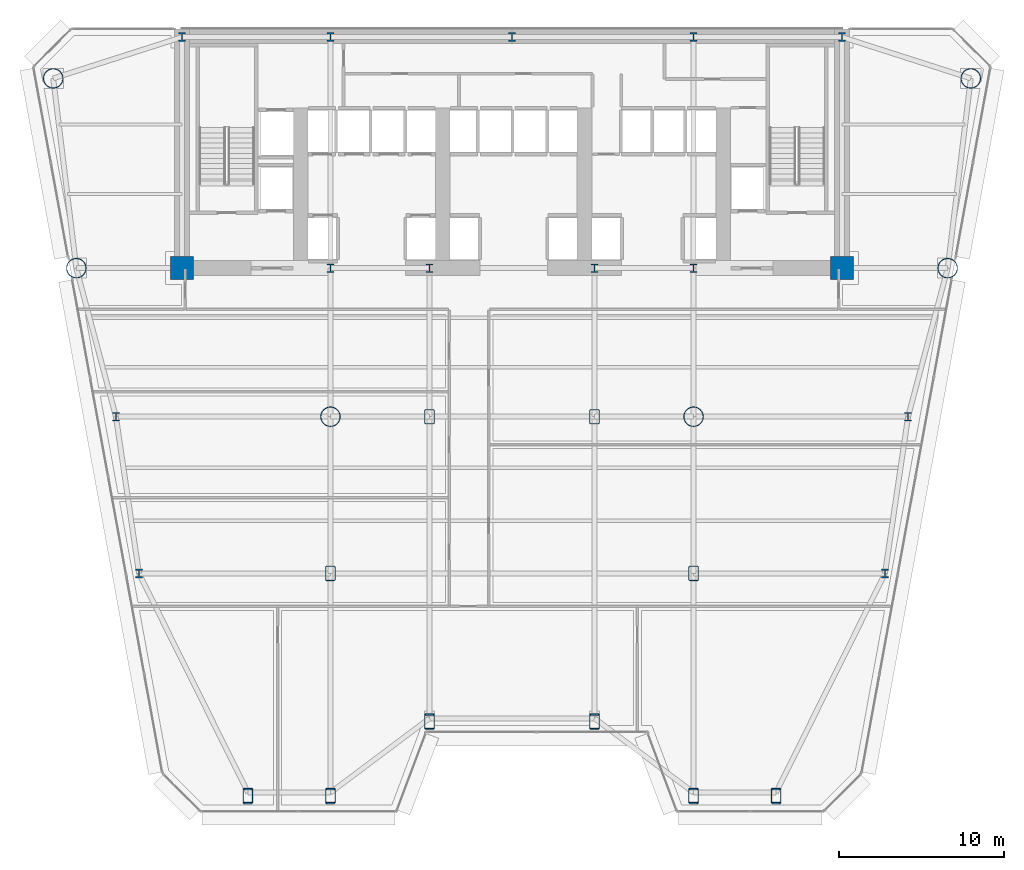
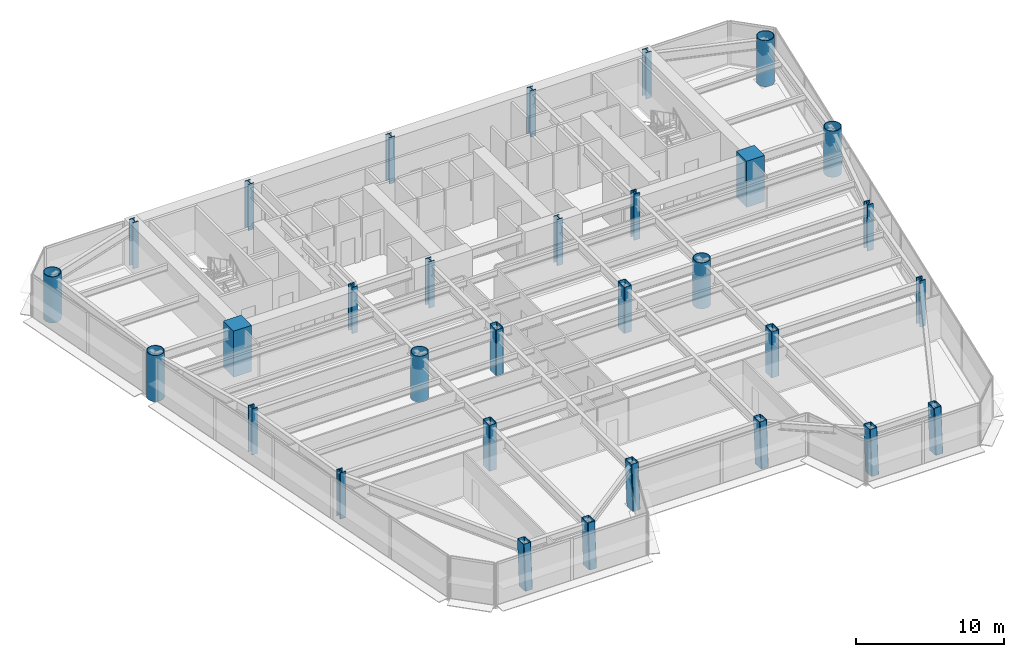
# One storey, part 1 of 14: 31 columns.
"""IFC4 building model written with IfcOpenShell, lengths in metres."""

from ifc_helpers import new_model, si_unit, direction, frame, origin, origin_2d, place, context, subcontext, project, spatial, rectangle, hollow_rectangle, hollow_circle, i_section, extrude, source, transform, mapped, material, material_profile, profile_set, type_object, element, save


model = new_model("IFC4")

# Units and contexts
model_context = context("Model", 3, precision=1e-05, world=origin(), true_north=direction((0.0, 1.0)))
body_context = subcontext(model_context, "Body", "Model", "MODEL_VIEW")
ifc_project = project(units=[si_unit("LENGTHUNIT", "METRE"), si_unit("AREAUNIT", "SQUARE_METRE"), si_unit("VOLUMEUNIT", "CUBIC_METRE"), si_unit("PLANEANGLEUNIT", "RADIAN"), si_unit("MASSUNIT", "GRAM", prefix="KILO")], contexts=[model_context])

# Site, building, storey
site_placement = place(None, origin())
site = spatial("IfcSite", under=ifc_project, at=site_placement, CompositionType="ELEMENT")
building_placement = place(site_placement, origin())
building = spatial("IfcBuilding", under=site, at=building_placement, Name="Vaeldorn Concourse Tower", CompositionType="ELEMENT")
storey_placement = place(building_placement, frame((0.0, 0.0, 75.800048828125)))
storey = spatial("IfcBuildingStorey", under=building, at=storey_placement, Name="L19", CompositionType="ELEMENT", Elevation=75.800048828125)

# Columns
ifc_material_1 = material(Name="Concrete C60/75", Category="concrete")
ifc_material_profile_1 = material_profile(ifc_material_1, rectangle(XDim=1.39990234375, YDim=1.39990234375, at=origin_2d()), Name="RC 1400x1400")
ifc_profile_set_1 = profile_set([ifc_material_profile_1], Name="Concrete C60/75")
column_type_1 = type_object("IfcColumnType", Name="COL-RC1400", PredefinedType="COLUMN", material=ifc_profile_set_1)
shared_shape_1 = source(origin(), body_context, "Body", "SweptSolid", [
    extrude(rectangle(XDim=1.39990234375, YDim=1.39990234375, at=origin_2d()), origin(), (0.0, 0.0, 1.0), 3.800048828125),
])
for number, where, z_axis, x_axis, name in (
    (1, (14.0, 36.5, 0.0), (0.0, 0.0, 1.0), (1.0, 0.0, 0.0), "Column C-FC1 L19"),
    (2, (54.0, 36.5, 0.0), (0.0, 0.0, 1.0), (1.0, 0.0, 0.0), "Column C-FC6 L19"),
):
    element("IfcColumn", number, at=place(storey_placement, frame(where, z_axis=z_axis, x_axis=x_axis)), inside=storey, type_object=column_type_1, Name=name, PredefinedType="COLUMN", context=body_context, shape_type="MappedRepresentation", body=[
        mapped(shared_shape_1, transform((0.0, 0.0, 0.0), scale=1.0)),
    ])
ifc_material_2 = material(Name="Steel S460", Category="steel")
ifc_material_profile_2 = material_profile(ifc_material_2, i_section(OverallWidth=0.44189453125, OverallDepth=0.531005859375, WebThickness=0.06494140625, FlangeThickness=0.075927734375, FilletRadius=0.014892578125, at=origin_2d()), Name="HD 400x900")
ifc_profile_set_2 = profile_set([ifc_material_profile_2], Name="Steel S460")
column_type_2 = type_object("IfcColumnType", Name="COL-HD900", PredefinedType="COLUMN", material=ifc_profile_set_2)
shared_shape_2 = source(origin(), body_context, "Body", "SweptSolid", [
    extrude(i_section(OverallWidth=0.44189453125, OverallDepth=0.531005859375, WebThickness=0.06494140625, FlangeThickness=0.075927734375, FilletRadius=0.014892578125, at=origin_2d()), origin(), (0.0, 0.0, 1.0), 3.800048828125),
])
for number, where, z_axis, x_axis, name in (
    (3, (23.0, 36.5, 0.0), (0.0, 0.0, 1.0), (1.0, 0.0, 0.0), "Column C-FC2 L19"),
    (4, (29.0, 36.5, 0.0), (0.0, 0.0, 1.0), (1.0, 0.0, 0.0), "Column C-FC3 L19"),
    (5, (39.0, 36.5, 0.0), (0.0, 0.0, 1.0), (1.0, 0.0, 0.0), "Column C-FC4 L19"),
    (6, (45.0, 36.5, 0.0), (0.0, 0.0, 1.0), (1.0, 0.0, 0.0), "Column C-FC5 L19"),
    (7, (14.0, 50.5, 0.0), (0.0, 0.0, 1.0), (1.0, 0.0, 0.0), "Column C-HC1 L19"),
    (8, (23.0, 50.5, 0.0), (0.0, 0.0, 1.0), (1.0, 0.0, 0.0), "Column C-HC2 L19"),
    (9, (34.0, 50.5, 0.0), (0.0, 0.0, 1.0), (1.0, 0.0, 0.0), "Column C-HC3 L19"),
    (10, (45.0, 50.5, 0.0), (0.0, 0.0, 1.0), (1.0, 0.0, 0.0), "Column C-HC4 L19"),
    (11, (54.0, 50.5, 0.0), (0.0, 0.0, 1.0), (1.0, 0.0, 0.0), "Column C-HC5 L19"),
):
    element("IfcColumn", number, at=place(storey_placement, frame(where, z_axis=z_axis, x_axis=x_axis)), inside=storey, type_object=column_type_2, Name=name, PredefinedType="COLUMN", context=body_context, shape_type="MappedRepresentation", body=[
        mapped(shared_shape_2, transform((0.0, 0.0, 0.0), scale=1.0)),
    ])
ifc_material_profile_3 = material_profile(ifc_material_2, hollow_circle(Radius=0.609619140625, WallThickness=0.050048828125, at=origin_2d()), Name="CHS 1219x50")
ifc_profile_set_3 = profile_set([ifc_material_profile_3], Name="Steel S460")
column_type_3 = type_object("IfcColumnType", Name="COL-CHS1219", PredefinedType="COLUMN", material=ifc_profile_set_3)
shared_shape_3 = source(origin(), body_context, "Body", "SweptSolid", [
    extrude(hollow_circle(Radius=0.609619140625, WallThickness=0.050048828125, at=origin_2d()), origin(), (0.0, 0.0, 1.0), 3.800048828125),
])
for number, where, z_axis, x_axis, name in (
    (12, (6.199951171875, 48.0, 0.0), (0.0, 0.0, 1.0), (1.0, 0.0, 0.0), "Column C-NW1 L19"),
    (13, (7.60009765625, 36.5, 0.0), (0.0, 0.0, 1.0), (1.0, 0.0, 0.0), "Column C-NW2 L19"),
    (14, (61.800048828125, 48.0, 0.0), (0.0, 0.0, 1.0), (1.0, 0.0, 0.0), "Column C-NE1 L19"),
    (15, (60.39990234375, 36.5, 0.0), (0.0, 0.0, 1.0), (1.0, 0.0, 0.0), "Column C-NE2 L19"),
    (16, (23.0, 27.5, 0.0), (0.0, 0.0, 1.0), (1.0, 0.0, 0.0), "Column C-TW1 L19"),
    (17, (45.0, 27.5, 0.0), (0.0, 0.0, 1.0), (1.0, 0.0, 0.0), "Column C-TW4 L19"),
):
    element("IfcColumn", number, at=place(storey_placement, frame(where, z_axis=z_axis, x_axis=x_axis)), inside=storey, type_object=column_type_3, Name=name, PredefinedType="COLUMN", context=body_context, shape_type="MappedRepresentation", body=[
        mapped(shared_shape_3, transform((0.0, 0.0, 0.0), scale=1.0)),
    ])
ifc_material_profile_4 = material_profile(ifc_material_2, i_section(OverallWidth=0.44189453125, OverallDepth=0.531005859375, WebThickness=0.06494140625, FlangeThickness=0.075927734375, FilletRadius=0.014892578125, at=origin_2d()), Name="HD 400x900")
ifc_profile_set_4 = profile_set([ifc_material_profile_4], Name="Steel S460")
column_type_4 = type_object("IfcColumnType", Name="COL-HD900F", PredefinedType="COLUMN", material=ifc_profile_set_4)
shared_shape_4 = source(origin(), body_context, "Body", "SweptSolid", [
    extrude(i_section(OverallWidth=0.44189453125, OverallDepth=0.531005859375, WebThickness=0.06494140625, FlangeThickness=0.075927734375, FilletRadius=0.014892578125, at=origin_2d()), origin(), (0.0, 0.0, 1.0), 3.800048828125),
])
for number, where, z_axis, x_axis, name in (
    (18, (10.0, 27.5, 0.0), (0.0, 0.0, 1.0), (1.0, 0.0, 0.0), "Column C-FLW1 L19"),
    (19, (11.39990234375, 18.0, 0.0), (0.0, 0.0, 1.0), (1.0, 0.0, 0.0), "Column C-FLW2 L19"),
    (20, (58.0, 27.5, 0.0), (0.0, 0.0, 1.0), (1.0, 0.0, 0.0), "Column C-FLE1 L19"),
    (21, (56.60009765625, 18.0, 0.0), (0.0, 0.0, 1.0), (1.0, 0.0, 0.0), "Column C-FLE2 L19"),
):
    element("IfcColumn", number, at=place(storey_placement, frame(where, z_axis=z_axis, x_axis=x_axis)), inside=storey, type_object=column_type_4, Name=name, PredefinedType="COLUMN", context=body_context, shape_type="MappedRepresentation", body=[
        mapped(shared_shape_4, transform((0.0, 0.0, 0.0), scale=1.0)),
    ])
ifc_material_profile_5 = material_profile(ifc_material_2, hollow_rectangle(XDim=0.60009765625, YDim=0.89990234375, WallThickness=0.0400390625, InnerFilletRadius=0.0400390625, OuterFilletRadius=0.080078125, at=origin_2d()), Name="RHS 900x600x40")
ifc_profile_set_5 = profile_set([ifc_material_profile_5], Name="Steel S460")
column_type_5 = type_object("IfcColumnType", Name="COL-RHS900", PredefinedType="COLUMN", material=ifc_profile_set_5)
shared_shape_5 = source(origin(), body_context, "Body", "SweptSolid", [
    extrude(hollow_rectangle(XDim=0.60009765625, YDim=0.89990234375, WallThickness=0.0400390625, InnerFilletRadius=0.0400390625, OuterFilletRadius=0.080078125, at=origin_2d()), origin(), (0.0, 0.0, 1.0), 3.800048828125),
])
for number, where, z_axis, x_axis, name in (
    (22, (29.0, 27.5, 0.0), (0.0, 0.0, 1.0), (1.0, 0.0, 0.0), "Column C-TW2 L19"),
    (23, (39.0, 27.5, 0.0), (0.0, 0.0, 1.0), (1.0, 0.0, 0.0), "Column C-TW3 L19"),
    (24, (23.0, 18.0, 0.0), (0.0, 0.0, 1.0), (1.0, 0.0, 0.0), "Column C-TW5 L19"),
    (25, (45.0, 18.0, 0.0), (0.0, 0.0, 1.0), (1.0, 0.0, 0.0), "Column C-TW6 L19"),
):
    element("IfcColumn", number, at=place(storey_placement, frame(where, z_axis=z_axis, x_axis=x_axis)), inside=storey, type_object=column_type_5, Name=name, PredefinedType="COLUMN", context=body_context, shape_type="MappedRepresentation", body=[
        mapped(shared_shape_5, transform((0.0, 0.0, 0.0), scale=1.0)),
    ])
shared_shape_6 = source(origin(), body_context, "Body", "SweptSolid", [
    extrude(hollow_rectangle(XDim=0.60009765625, YDim=0.89990234375, WallThickness=0.0400390625, InnerFilletRadius=0.0400390625, OuterFilletRadius=0.080078125, at=origin_2d()), origin(), (0.0, 0.0, 1.0), 3.74365234375),
])
for number, where, z_axis, x_axis, name in (
    (26, (18.0, 4.486083984375, 0.031982421875), (0.0, 0.063843869911, 0.997959899132), (-1.0, 0.0, 0.0), "Column C-SF1 L19"),
    (27, (23.0, 4.486083984375, 0.031982421875), (0.0, 0.063843869911, 0.997959899132), (-1.0, 0.0, 0.0), "Column C-SF2 L19"),
    (28, (29.0, 8.986083984375, 0.031982421875), (0.0, 0.063843869911, 0.997959899132), (-1.0, 0.0, 0.0), "Column C-SF3 L19"),
    (29, (39.0, 8.986083984375, 0.031982421875), (0.0, 0.063843869911, 0.997959899132), (-1.0, 0.0, 0.0), "Column C-SF4 L19"),
    (30, (45.0, 4.486083984375, 0.031982421875), (0.0, 0.063843869911, 0.997959899132), (-1.0, 0.0, 0.0), "Column C-SF5 L19"),
    (31, (50.0, 4.486083984375, 0.031982421875), (0.0, 0.063843869911, 0.997959899132), (-1.0, 0.0, 0.0), "Column C-SF6 L19"),
):
    element("IfcColumn", number, at=place(storey_placement, frame(where, z_axis=z_axis, x_axis=x_axis)), inside=storey, type_object=column_type_5, Name=name, PredefinedType="COLUMN", context=body_context, shape_type="MappedRepresentation", body=[
        mapped(shared_shape_6, transform((0.0, 0.0, 0.0), scale=1.0)),
    ])

save(model, "model.ifc")
